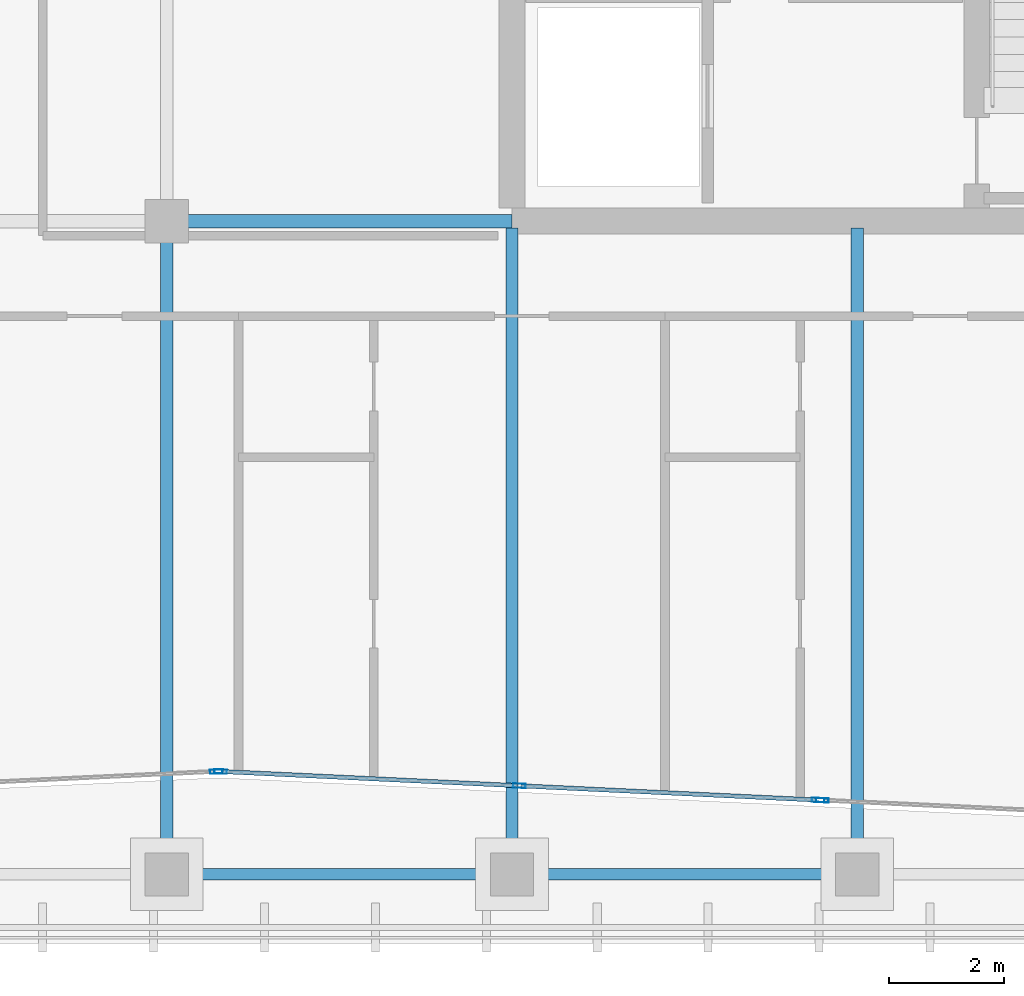
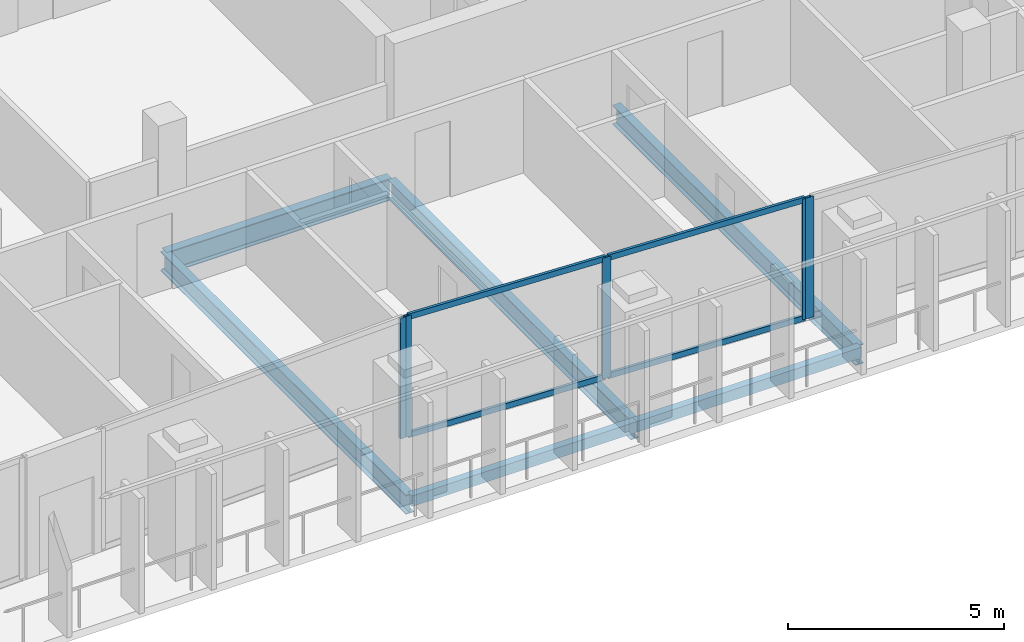
# One storey, part 8 of 31: 9 members, 6 beams, 3 elements without a shape of their own.
"""IFC4 building model written with IfcOpenShell, lengths in metres."""

from ifc_helpers import new_model, si_unit, direction, frame, origin, origin_2d, place, context, subcontext, project, spatial, hollow_rectangle, i_section, extrude, material, layer, layer_set, material_profile, profile_set, type_object, element, aggregate, save


model = new_model("IFC4")

# Units and contexts
model_context = context("Model", 3, precision=1e-05, world=origin(), true_north=direction((0.0, 1.0)))
body_context = subcontext(model_context, "Body", "Model", "MODEL_VIEW")
ifc_project = project(units=[si_unit("LENGTHUNIT", "METRE"), si_unit("AREAUNIT", "SQUARE_METRE"), si_unit("VOLUMEUNIT", "CUBIC_METRE"), si_unit("PLANEANGLEUNIT", "RADIAN"), si_unit("MASSUNIT", "GRAM", prefix="KILO")], contexts=[model_context])

# Site, building, storey
site_placement = place(None, origin())
site = spatial("IfcSite", under=ifc_project, at=site_placement, CompositionType="ELEMENT")
building_placement = place(site_placement, origin())
building = spatial("IfcBuilding", under=site, at=building_placement, Name="Tanjung Sevakor Pilgrim Tower", CompositionType="ELEMENT")
storey_placement = place(building_placement, frame((0.0, 0.0, 208.22998046875)))
storey = spatial("IfcBuildingStorey", under=building, at=storey_placement, Name="L58", CompositionType="ELEMENT", Elevation=208.22998046875)

# Beams
ifc_material_1 = material(Name="Steel S355J2", Category="steel")
ifc_material_profile_1 = material_profile(ifc_material_1, i_section(OverallWidth=0.22900390625, OverallDepth=0.6123046875, WebThickness=0.011962890625, FlangeThickness=0.01953125, FilletRadius=0.0126953125, at=origin_2d()))
ifc_profile_set_1 = profile_set([ifc_material_profile_1], Name="Steel S355J2")
beam_type_1 = type_object("IfcBeamType", Name="BM-B-G4-UB_610x229x125", PredefinedType="BEAM", material=ifc_profile_set_1)
beam_1_placement = place(storey_placement, frame((72.0, 24.60009765625, -0.526123046875), z_axis=(1.0, 0.0, 0.0), x_axis=(0.0, 1.0, 0.0)))
element("IfcBeam", 1, at=beam_1_placement, inside=storey, type_object=beam_type_1, Name="L58 Primary Floor Girder MAIN Y246-08", PredefinedType="BEAM", context=body_context, shape_type="SweptSolid", body=[
    extrude(i_section(OverallWidth=0.22900390625, OverallDepth=0.6123046875, WebThickness=0.011962890625, FlangeThickness=0.01953125, FilletRadius=0.0126953125, at=origin_2d()), origin(), (0.0, 0.0, 1.0), 6.0),
])
ifc_material_2 = material(Name="Steel S355J2", Category="steel")
ifc_material_profile_2 = material_profile(ifc_material_2, i_section(OverallWidth=0.2119140625, OverallDepth=0.54443359375, WebThickness=0.0126953125, FlangeThickness=0.021240234375, FilletRadius=0.0126953125, at=origin_2d()))
ifc_profile_set_2 = profile_set([ifc_material_profile_2], Name="Steel S355J2")
beam_type_2 = type_object("IfcBeamType", Name="BM-B-G5-UB_533x210x122", PredefinedType="BEAM", material=ifc_profile_set_2)
beam_2_placement = place(storey_placement, frame((72.0, 13.25, -0.4921875), z_axis=(0.0, 1.0, 0.0), x_axis=(-1.0, 0.0, 0.0)))
element("IfcBeam", 2, at=beam_2_placement, inside=storey, type_object=beam_type_2, Name="L58 MAIN Girder 018", PredefinedType="BEAM", context=body_context, shape_type="SweptSolid", body=[
    extrude(i_section(OverallWidth=0.2119140625, OverallDepth=0.54443359375, WebThickness=0.0126953125, FlangeThickness=0.021240234375, FilletRadius=0.0126953125, at=origin_2d()), origin(), (0.0, 0.0, 1.0), 11.35009765625),
])
for number, where, z_axis, x_axis, name in (
    (3, (78.0, 13.25, -0.4921875), (0.0, 1.0, 0.0), (-1.0, 0.0, 0.0), "L58 MAIN Girder 021"),
    (4, (84.0, 13.25, -0.4921875), (0.0, 1.0, 0.0), (-1.0, 0.0, 0.0), "L58 MAIN Girder 023"),
):
    element("IfcBeam", number, at=place(storey_placement, frame(where, z_axis=z_axis, x_axis=x_axis)), inside=storey, type_object=beam_type_2, Name=name, PredefinedType="BEAM", context=body_context, shape_type="SweptSolid", body=[
        extrude(i_section(OverallWidth=0.2119140625, OverallDepth=0.54443359375, WebThickness=0.0126953125, FlangeThickness=0.021240234375, FilletRadius=0.0126953125, at=origin_2d()), origin(), (0.0, 0.0, 1.0), 11.235595703125),
    ])
ifc_material_3 = material(Name="Steel S355J2", Category="steel")
ifc_material_profile_3 = material_profile(ifc_material_3, hollow_rectangle(XDim=0.199951171875, YDim=0.300048828125, WallThickness=0.012451171875, at=origin_2d()))
ifc_profile_set_3 = profile_set([ifc_material_profile_3], Name="Steel S355J2")
beam_type_3 = type_object("IfcBeamType", Name="BM-B-SP3-RHS_300x200x12.5", PredefinedType="SPANDREL", material=ifc_profile_set_3)
for number, where, z_axis, x_axis, name in (
    (5, (72.0, 13.25, -0.369873046875), (1.0, 0.0, 0.0), (0.0, 1.0, 0.0), "L58 Spandrel MAIN S-11"),
    (6, (78.0, 13.25, -0.369873046875), (1.0, 0.0, 0.0), (0.0, 1.0, 0.0), "L58 Spandrel MAIN S-13"),
):
    element("IfcBeam", number, at=place(storey_placement, frame(where, z_axis=z_axis, x_axis=x_axis)), inside=storey, type_object=beam_type_3, Name=name, PredefinedType="SPANDREL", context=body_context, shape_type="SweptSolid", body=[
        extrude(hollow_rectangle(XDim=0.199951171875, YDim=0.300048828125, WallThickness=0.012451171875, at=origin_2d()), origin(), (0.0, 0.0, 1.0), 6.0),
    ])

# Curtain wall, member
ifc_material_4 = material(Name="Aluminium 6063-T6 and Low-E Glass", Category="aluminium")
ifc_layer = layer(ifc_material_4, 0.199951171875)
ifc_layer_set = layer_set([ifc_layer], Name="CW-SYS-PRAY")
curtain_wall_type = type_object("IfcCurtainWallType", Name="CW-SYS-PRAY", PredefinedType="NOTDEFINED", material=ifc_layer_set)
curtain_wall_1_placement = place(storey_placement, origin())
curtain_wall_1 = element("IfcCurtainWall", 7, at=curtain_wall_1_placement, inside=storey, type_object=curtain_wall_type, Name="L58 Curtain Wall CW-PRY-L58-10B", PredefinedType="NOTDEFINED")
ifc_material_5 = material(Name="Aluminium 6063-T6", Category="aluminium")
ifc_material_profile_4 = material_profile(ifc_material_5, hollow_rectangle(XDim=0.074951171875, YDim=0.219970703125, WallThickness=0.0048828125, at=origin_2d()))
ifc_profile_set_4 = profile_set([ifc_material_profile_4], Name="Aluminium 6063-T6")
member_type_1 = type_object("IfcMemberType", Name="TYPE-CWM-2", PredefinedType="MULLION", material=ifc_profile_set_4)
member_1_placement = place(storey_placement, frame((72.862548828125, 15.038330078125, 0.0), z_axis=(0.0, 0.0, 1.0), x_axis=(-0.047791761031, 0.998857320931, 0.0)))
member_1 = element("IfcMember", 8, at=member_1_placement, type_object=member_type_1, Name="CW-PRY mullion 2", PredefinedType="MULLION", context=body_context, shape_type="SweptSolid", body=[
    extrude(hollow_rectangle(XDim=0.074951171875, YDim=0.219970703125, WallThickness=0.0048828125, at=origin_2d()), origin(), (0.0, 0.0, 1.0), 3.409912109375),
])
aggregate(curtain_wall_1, [member_1])

# Curtain wall, members
curtain_wall_2_placement = place(storey_placement, origin())
curtain_wall_2 = element("IfcCurtainWall", 9, at=curtain_wall_2_placement, inside=storey, type_object=curtain_wall_type, Name="L58 Curtain Wall CW-PRY-L58-11", PredefinedType="NOTDEFINED")
member_2_placement = place(storey_placement, frame((72.9375, 15.038330078125, 0.0), z_axis=(0.0, 0.0, 1.0), x_axis=(0.047787107337, 0.998857543583, 0.0)))
member_2 = element("IfcMember", 10, at=member_2_placement, type_object=member_type_1, Name="CW-PRY mullion 1", PredefinedType="MULLION", context=body_context, shape_type="SweptSolid", body=[
    extrude(hollow_rectangle(XDim=0.074951171875, YDim=0.219970703125, WallThickness=0.0048828125, at=origin_2d()), origin(), (0.0, 0.0, 1.0), 3.409912109375),
])
member_3_placement = place(storey_placement, frame((78.127685546875, 14.7900390625, 0.0), z_axis=(0.0, 0.0, 1.0), x_axis=(0.047787107337, 0.998857543583, 0.0)))
member_3 = element("IfcMember", 11, at=member_3_placement, type_object=member_type_1, Name="CW-PRY mullion 2", PredefinedType="MULLION", context=body_context, shape_type="SweptSolid", body=[
    extrude(hollow_rectangle(XDim=0.074951171875, YDim=0.219970703125, WallThickness=0.0048828125, at=origin_2d()), origin(), (0.0, 0.0, 1.0), 3.409912109375),
])
member_4_placement = place(storey_placement, frame((83.31787109375, 14.541748046875, 0.0), z_axis=(0.0, 0.0, 1.0), x_axis=(0.047787107337, 0.998857543583, 0.0)))
member_4 = element("IfcMember", 12, at=member_4_placement, type_object=member_type_1, Name="CW-PRY mullion 3", PredefinedType="MULLION", context=body_context, shape_type="SweptSolid", body=[
    extrude(hollow_rectangle(XDim=0.074951171875, YDim=0.219970703125, WallThickness=0.0048828125, at=origin_2d()), origin(), (0.0, 0.0, 1.0), 3.409912109375),
])

# Curtain wall, member
curtain_wall_3_placement = place(storey_placement, origin())
curtain_wall_3 = element("IfcCurtainWall", 13, at=curtain_wall_3_placement, inside=storey, type_object=curtain_wall_type, Name="L58 Curtain Wall CW-PRY-L58-12", PredefinedType="NOTDEFINED")
member_5_placement = place(storey_placement, frame((83.392822265625, 14.5380859375, 0.0), z_axis=(0.0, 0.0, 1.0), x_axis=(0.047791311738, 0.998857342428, 0.0)))
member_5 = element("IfcMember", 14, at=member_5_placement, type_object=member_type_1, Name="CW-PRY mullion 1", PredefinedType="MULLION", context=body_context, shape_type="SweptSolid", body=[
    extrude(hollow_rectangle(XDim=0.074951171875, YDim=0.219970703125, WallThickness=0.0048828125, at=origin_2d()), origin(), (0.0, 0.0, 1.0), 3.409912109375),
])
aggregate(curtain_wall_3, [member_5])

# Member
ifc_material_6 = material(Name="Aluminium 6063-T6", Category="aluminium")
ifc_material_profile_5 = material_profile(ifc_material_6, hollow_rectangle(XDim=0.074951171875, YDim=0.159912109375, WallThickness=0.00439453125, at=origin_2d()))
ifc_profile_set_5 = profile_set([ifc_material_profile_5], Name="Aluminium 6063-T6")
member_type_2 = type_object("IfcMemberType", Name="TYPE-CWT-2", PredefinedType="USERDEFINED", material=ifc_profile_set_5)
member_6_placement = place(storey_placement, frame((72.974853515625, 15.03662109375, 0.03759765625), z_axis=(0.998856133767, -0.047816566541, 0.0), x_axis=(0.047816566541, 0.998856133767, 0.0)))
member_6 = element("IfcMember", 15, at=member_6_placement, type_object=member_type_2, Name="CW-PRY transom 1.1", ObjectType="TRANSOM", PredefinedType="USERDEFINED", context=body_context, shape_type="SweptSolid", body=[
    extrude(hollow_rectangle(XDim=0.074951171875, YDim=0.159912109375, WallThickness=0.00439453125, at=origin_2d()), origin(), (0.0, 0.0, 1.0), 5.12109375),
])

member_7_placement = place(storey_placement, frame((72.974853515625, 15.03662109375, 3.37255859375), z_axis=(0.998856133767, -0.047816566541, 0.0), x_axis=(0.047816566541, 0.998856133767, 0.0)))
member_7 = element("IfcMember", 16, at=member_7_placement, type_object=member_type_2, Name="CW-PRY transom 1.2", ObjectType="TRANSOM", PredefinedType="USERDEFINED", context=body_context, shape_type="SweptSolid", body=[
    extrude(hollow_rectangle(XDim=0.074951171875, YDim=0.159912109375, WallThickness=0.00439453125, at=origin_2d()), origin(), (0.0, 0.0, 1.0), 5.12109375),
])

member_8_placement = place(storey_placement, frame((78.1650390625, 14.7880859375, 0.03759765625), z_axis=(0.998858409618, -0.047769001835, 0.0), x_axis=(0.047769001835, 0.998858409618, 0.0)))
member_8 = element("IfcMember", 17, at=member_8_placement, type_object=member_type_2, Name="CW-PRY transom 2.1", ObjectType="TRANSOM", PredefinedType="USERDEFINED", context=body_context, shape_type="SweptSolid", body=[
    extrude(hollow_rectangle(XDim=0.074951171875, YDim=0.159912109375, WallThickness=0.00439453125, at=origin_2d()), origin(), (0.0, 0.0, 1.0), 5.12109375),
])

member_9_placement = place(storey_placement, frame((78.1650390625, 14.7880859375, 3.37255859375), z_axis=(0.998858409618, -0.047769001835, 0.0), x_axis=(0.047769001835, 0.998858409618, 0.0)))
member_9 = element("IfcMember", 18, at=member_9_placement, type_object=member_type_2, Name="CW-PRY transom 2.2", ObjectType="TRANSOM", PredefinedType="USERDEFINED", context=body_context, shape_type="SweptSolid", body=[
    extrude(hollow_rectangle(XDim=0.074951171875, YDim=0.159912109375, WallThickness=0.00439453125, at=origin_2d()), origin(), (0.0, 0.0, 1.0), 5.12109375),
])

aggregate(curtain_wall_2, [member_2, member_3, member_4, member_6, member_7, member_8, member_9])

save(model, "model.ifc")
